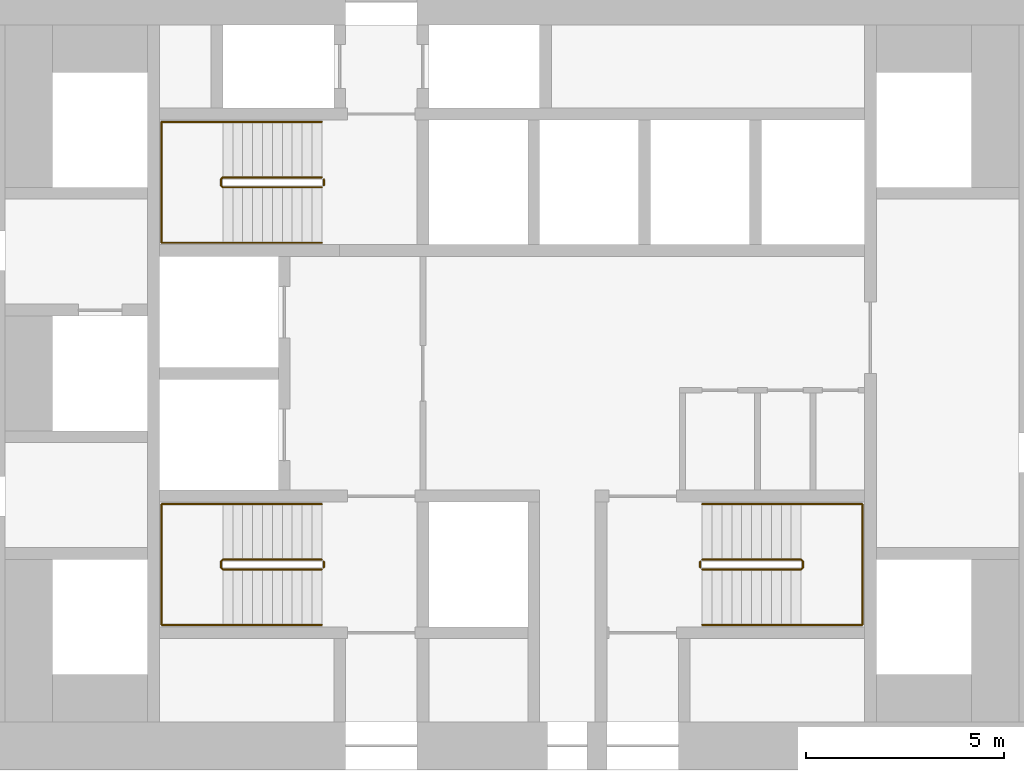
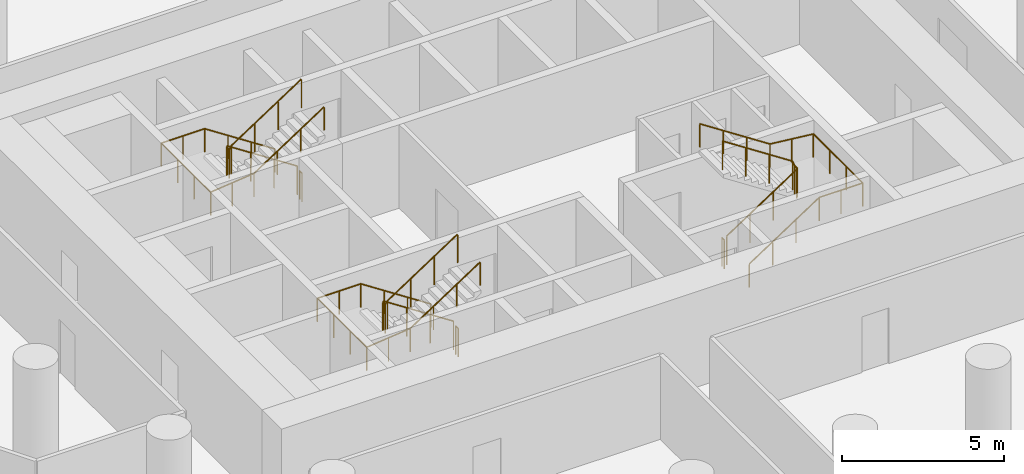
# One storey, part 11 of 11: 9 railings.
"""IFC4 building model written with IfcOpenShell, lengths in metres."""

import ifcopenshell
import ifcopenshell.guid

model = None  # the IFC model being written
_history = None  # IfcOwnerHistory: only IFC2X3 demands one
_inside = {}  # id of a spatial element -> (the spatial element, [elements in it])
_under = {}  # id of a project, library or spatial element -> (it, [spatial elements below it])
_declared = {}  # id of a project -> (the project, [libraries it declares])
_typed = {}  # id of a type object -> (the type object, [elements of that type])
_made_of = {}  # id of a material, layer set ... -> (it, [elements and type objects made of it])


def new_model(schema):
    """Start an empty IFC model of exactly this schema.

    Asked for "IFC4X3", IfcOpenShell would pick the latest addendum, in which some entities
    have other attributes; the version numbers below select the first issue.
    IFC2X3 requires an IfcOwnerHistory on every rooted entity: one is made here for all.
    """
    global model, _history
    if schema == "IFC4X3":
        model = ifcopenshell.file(schema_version=(4, 3, 0, 0))
    else:
        model = ifcopenshell.file(schema=schema)
    _inside.clear()
    _under.clear()
    _declared.clear()
    _typed.clear()
    _made_of.clear()
    _history = None
    if model.schema == "IFC2X3":
        org = make("IfcOrganization", Name="unknown")
        user = make(
            "IfcPersonAndOrganization",
            ThePerson=make("IfcPerson", FamilyName="unknown"),
            TheOrganization=org,
        )
        app = make(
            "IfcApplication",
            ApplicationDeveloper=org,
            Version="unknown",
            ApplicationFullName="unknown",
            ApplicationIdentifier="unknown",
        )
        _history = make(
            "IfcOwnerHistory",
            OwningUser=user,
            OwningApplication=app,
            ChangeAction="ADDED",
            CreationDate=0,
        )
    return model


def make(cls, **values):
    """One entity of the class cls with the attributes given. An attribute that is None is left unset."""
    return model.create_entity(
        cls, **{name: value for name, value in values.items() if value is not None}
    )


def rooted(cls, **values):
    """An entity with a GlobalId (a new one), such as an element, a storey or a relation."""
    return make(cls, GlobalId=ifcopenshell.guid.new(), OwnerHistory=_history, **values)


def si_unit(unit_type, name, prefix=None):
    """IfcSIUnit, for example si_unit("LENGTHUNIT", "METRE", prefix="MILLI")."""
    return make("IfcSIUnit", UnitType=unit_type, Prefix=prefix, Name=name)


def assignment(units):
    """IfcUnitAssignment: the units of a project."""
    return None if units is None else make("IfcUnitAssignment", Units=units)


def point(xyz):
    """IfcCartesianPoint."""
    return None if xyz is None else make("IfcCartesianPoint", Coordinates=xyz)


def direction(xyz):
    """IfcDirection."""
    return None if xyz is None else make("IfcDirection", DirectionRatios=xyz)


def frame(location, z_axis=None, x_axis=None):
    """IfcAxis2Placement3D, a coordinate frame: its origin and axes. An axis left out is left unset."""
    return make(
        "IfcAxis2Placement3D",
        Location=point(location),
        Axis=direction(z_axis),
        RefDirection=direction(x_axis),
    )


def frame_2d(location, x_axis=None):
    """IfcAxis2Placement2D, a coordinate frame in the plane: its origin and x axis."""
    return make(
        "IfcAxis2Placement2D", Location=point(location), RefDirection=direction(x_axis)
    )


def origin():
    """The frame at (0, 0, 0) with its axes left unset."""
    return frame((0.0, 0.0, 0.0))


def origin_2d():
    """The frame at (0, 0) in the plane with its x axis left unset."""
    return frame_2d((0.0, 0.0))


def place(relative_to, where):
    """IfcLocalPlacement: puts the frame where relative to a parent placement (None: the world)."""
    return make(
        "IfcLocalPlacement", PlacementRelTo=relative_to, RelativePlacement=where
    )


def context(
    kind, dimensions, precision=None, world=None, true_north=None, identifier=None
):
    """IfcGeometricRepresentationContext, for example the 3D "Model" context."""
    return make(
        "IfcGeometricRepresentationContext",
        ContextIdentifier=identifier,
        ContextType=kind,
        CoordinateSpaceDimension=dimensions,
        Precision=precision,
        WorldCoordinateSystem=world,
        TrueNorth=true_north,
    )


def subcontext(parent, identifier, kind, view, scale=None):
    """IfcGeometricRepresentationSubContext, for example "Body" below "Model"."""
    return make(
        "IfcGeometricRepresentationSubContext",
        ContextIdentifier=identifier,
        ContextType=kind,
        ParentContext=parent,
        TargetScale=scale,
        TargetView=view,
    )


def project(units=None, contexts=None):
    """IfcProject with its units and contexts."""
    return rooted(
        "IfcProject",
        Name="project",
        RepresentationContexts=contexts,
        UnitsInContext=assignment(units),
    )


def spatial(cls, under=None, at=None, **own):
    """A site, building, storey or space (cls), placed at a placement, below another one or the project."""
    s = rooted(cls, ObjectPlacement=at, **own)
    if under is not None:
        _under.setdefault(under.id(), (under, []))[1].append(s)
    return s


def profile(cls, at=None, kind="AREA", **sizes):
    """A parametric profile (cls). Its sizes go by their IFC names, for example OverallWidth=200.0."""
    return make(cls, ProfileType=kind, Position=at, **sizes)


def circle(**sizes):
    """IfcCircleProfileDef."""
    return profile("IfcCircleProfileDef", **sizes)


def extrude(swept, where, along, depth):
    """IfcExtrudedAreaSolid: the profile swept, set in the frame where, extruded along a direction by depth."""
    return make(
        "IfcExtrudedAreaSolid",
        SweptArea=swept,
        Position=where,
        ExtrudedDirection=direction(along),
        Depth=depth,
    )


def shape(context_of_items, identifier, shape_type, items):
    """IfcShapeRepresentation: the items that make up one representation, for example the "Body"."""
    return make(
        "IfcShapeRepresentation",
        ContextOfItems=context_of_items,
        RepresentationIdentifier=identifier,
        RepresentationType=shape_type,
        Items=items,
    )


def material(Name=None, Category=None):
    """IfcMaterial."""
    return make("IfcMaterial", Name=Name, Category=Category)


def made_of(thing, what):
    """Note that an element or type object is made of a material, layer set ...; save() writes the relation."""
    if what is not None:
        _made_of.setdefault(what.id(), (what, []))[1].append(thing)
    return thing


def type_object(cls, material=None, **own):
    """A type object (cls), such as IfcWallType, which elements share."""
    return made_of(rooted(cls, **own), material)


def element(
    cls,
    number,
    at=None,
    inside=None,
    cuts=None,
    type_object=None,
    material=None,
    context=None,
    identifier="Body",
    shape_type=None,
    held_by="IfcProductDefinitionShape",
    body=None,
    shapes=None,
    **own,
):
    """One element of the class cls, such as IfcWall. Its Tag is "e" and its number.

    at: its placement. inside: the storey or other place that contains it. cuts: it is an
    opening in that element (IfcRelVoidsElement). A single representation is given by context,
    identifier, shape_type and body (its items); several are given by shapes. held_by: the class
    of the entity that holds the representations. save() writes the other relations.
    """
    e = rooted(cls, Tag="e%d" % number, ObjectPlacement=at, **own)
    if body is not None:
        shapes = [shape(context, identifier, shape_type, body)]
    if shapes is not None:
        e.Representation = make(held_by, Representations=shapes)
    if inside is not None:
        _inside.setdefault(inside.id(), (inside, []))[1].append(e)
    if cuts is not None:
        rooted(
            "IfcRelVoidsElement", RelatingBuildingElement=cuts, RelatedOpeningElement=e
        )
    if type_object is not None:
        _typed.setdefault(type_object.id(), (type_object, []))[1].append(e)
    return made_of(e, material)


def aggregate(whole, parts):
    """IfcRelAggregates: a whole, such as a stair, and the parts it consists of."""
    return rooted("IfcRelAggregates", RelatingObject=whole, RelatedObjects=parts)


def save(model, path):
    """Write the relations noted so far, then the file.

    IfcRelAggregates (storeys below a building ...), IfcRelContainedInSpatialStructure (elements
    in a storey), IfcRelDefinesByType, IfcRelAssociatesMaterial and IfcRelDeclares: one each for
    every whole, place, type object, material and project.
    """
    for whole, parts in _under.values():
        aggregate(whole, parts)
    for where, things in _inside.values():
        rooted(
            "IfcRelContainedInSpatialStructure",
            RelatedElements=things,
            RelatingStructure=where,
        )
    for kind, things in _typed.values():
        rooted("IfcRelDefinesByType", RelatedObjects=things, RelatingType=kind)
    for what, things in _made_of.values():
        rooted("IfcRelAssociatesMaterial", RelatedObjects=things, RelatingMaterial=what)
    for by, libraries in _declared.values():
        rooted("IfcRelDeclares", RelatingContext=by, RelatedDefinitions=libraries)
    model.write(path)


model = new_model("IFC4")

# Units and contexts
model_context = context("Model", 3, precision=1e-05, world=origin(), true_north=direction((0.0, 1.0)))
body_context = subcontext(model_context, "Body", "Model", "MODEL_VIEW")
ifc_project = project(units=[si_unit("LENGTHUNIT", "METRE"), si_unit("AREAUNIT", "SQUARE_METRE"), si_unit("VOLUMEUNIT", "CUBIC_METRE"), si_unit("PLANEANGLEUNIT", "RADIAN"), si_unit("MASSUNIT", "GRAM", prefix="KILO")], contexts=[model_context])

# Site, building, storey
site_placement = place(None, origin())
site = spatial("IfcSite", under=ifc_project, at=site_placement, CompositionType="ELEMENT")
building_placement = place(site_placement, origin())
building = spatial("IfcBuilding", under=site, at=building_placement, Name="Tracery Tower", CompositionType="ELEMENT")
storey_placement = place(building_placement, frame((0.0, 0.0, 100.199951171875)))
storey = spatial("IfcBuildingStorey", under=building, at=storey_placement, Name="L25", CompositionType="ELEMENT", Elevation=100.199951171875)

# Railings
ifc_material_1 = material(Name="Stainless steel and laminated glass", Category="steel")
railing_type_1 = type_object("IfcRailingType", Name="Stair guard 1100", PredefinedType="GUARDRAIL", material=ifc_material_1)
railing_1_placement = place(storey_placement, frame((-4.800048828125, -4.699951171875, 0.16357421875)))
element("IfcRailing", 1, at=railing_1_placement, inside=storey, type_object=railing_type_1, Name="L25 stair ST1 guard 1", PredefinedType="GUARDRAIL", context=body_context, shape_type="SweptSolid", body=[
    extrude(circle(Radius=0.02392578125, at=origin_2d()), frame((0.0, 0.0, 1.076171875), z_axis=(-0.83668449804, 0.0, 0.54768517484), x_axis=(0.0, -1.0, 0.0)), (0.0, 0.0, 1.0), 2.988037109375),
    extrude(circle(Radius=0.02392578125, at=origin_2d()), frame((-2.5, 0.0, 2.71240234375), z_axis=(-0.707106781187, -0.707106781187, 0.0), x_axis=(0.707106781187, -0.707106781187, 0.0)), (0.0, 0.0, 1.0), 0.07080078125),
    extrude(circle(Radius=0.02392578125, at=origin_2d()), frame((-2.550048828125, -0.050048828125, 2.71240234375), z_axis=(0.0, -1.0, 0.0), x_axis=(1.0, 0.0, 0.0)), (0.0, 0.0, 1.0), 0.14990234375),
    extrude(circle(Radius=0.02392578125, at=origin_2d()), frame((-2.550048828125, -0.199951171875, 2.71240234375), z_axis=(0.280808744504, -0.280808744504, 0.917765164963), x_axis=(0.707106781187, 0.707106781187, 0.0)), (0.0, 0.0, 1.0), 0.17822265625),
    extrude(circle(Radius=0.02392578125, at=origin_2d()), frame((-2.5, -0.25, 2.8759765625), z_axis=(0.83668449804, 0.0, 0.54768517484), x_axis=(0.0, 1.0, 0.0)), (0.0, 0.0, 1.0), 2.988037109375),
    extrude(circle(Radius=0.02099609375, at=origin_2d()), origin(), (0.0, 0.0, 1.0), 1.052001953125),
    extrude(circle(Radius=0.02099609375, at=origin_2d()), frame((-0.833251953125, 0.0, 0.54541015625)), (0.0, 0.0, 1.0), 1.052001953125),
    extrude(circle(Radius=0.02099609375, at=origin_2d()), frame((-1.666748046875, 0.0, 1.091064453125)), (0.0, 0.0, 1.0), 1.052001953125),
    extrude(circle(Radius=0.02099609375, at=origin_2d()), frame((-2.5, 0.0, 1.636474609375)), (0.0, 0.0, 1.0), 1.052001953125),
    extrude(circle(Radius=0.02099609375, at=origin_2d()), frame((-2.550048828125, -0.050048828125, 1.636474609375)), (0.0, 0.0, 1.0), 1.052001953125),
    extrude(circle(Radius=0.02099609375, at=origin_2d()), frame((-2.550048828125, -0.199951171875, 1.636474609375)), (0.0, 0.0, 1.0), 1.052001953125),
    extrude(circle(Radius=0.02099609375, at=origin_2d()), frame((-2.5, -0.25, 1.800048828125)), (0.0, 0.0, 1.0), 1.052001953125),
    extrude(circle(Radius=0.02099609375, at=origin_2d()), frame((-1.666748046875, -0.25, 2.345458984375)), (0.0, 0.0, 1.0), 1.052001953125),
    extrude(circle(Radius=0.02099609375, at=origin_2d()), frame((-0.833251953125, -0.25, 2.89111328125)), (0.0, 0.0, 1.0), 1.052001953125),
    extrude(circle(Radius=0.02099609375, at=origin_2d()), frame((0.0, -0.25, 3.4365234375)), (0.0, 0.0, 1.0), 1.052001953125),
])
railing_2_placement = place(storey_placement, frame((-4.75, -4.75, 0.0)))
element("IfcRailing", 2, at=railing_2_placement, inside=storey, type_object=railing_type_1, Name="L25 stair ST1 guard 2", PredefinedType="GUARDRAIL", context=body_context, shape_type="SweptSolid", body=[
    extrude(circle(Radius=0.02392578125, at=origin_2d()), frame((0.0, 0.0, 1.076171875), z_axis=(0.0, -1.0, 0.0), x_axis=(1.0, 0.0, 0.0)), (0.0, 0.0, 1.0), 0.14990234375),
    extrude(circle(Radius=0.02099609375, at=origin_2d()), origin(), (0.0, 0.0, 1.0), 1.052001953125),
    extrude(circle(Radius=0.02099609375, at=origin_2d()), frame((0.0, -0.14990234375, 0.0)), (0.0, 0.0, 1.0), 1.052001953125),
])
railing_3_placement = place(storey_placement, frame((-4.800048828125, 4.949951171875, 0.16357421875)))
element("IfcRailing", 3, at=railing_3_placement, inside=storey, type_object=railing_type_1, Name="L25 stair ST3 guard 1", PredefinedType="GUARDRAIL", context=body_context, shape_type="SweptSolid", body=[
    extrude(circle(Radius=0.02392578125, at=origin_2d()), frame((0.0, 0.0, 1.076171875), z_axis=(-0.83668449804, 0.0, 0.54768517484), x_axis=(0.0, -1.0, 0.0)), (0.0, 0.0, 1.0), 2.988037109375),
    extrude(circle(Radius=0.02392578125, at=origin_2d()), frame((-2.5, 0.0, 2.71240234375), z_axis=(-0.707106781187, -0.707106781187, 0.0), x_axis=(0.707106781187, -0.707106781187, 0.0)), (0.0, 0.0, 1.0), 0.07080078125),
    extrude(circle(Radius=0.02392578125, at=origin_2d()), frame((-2.550048828125, -0.050048828125, 2.71240234375), z_axis=(0.0, -1.0, 0.0), x_axis=(1.0, 0.0, 0.0)), (0.0, 0.0, 1.0), 0.14990234375),
    extrude(circle(Radius=0.02392578125, at=origin_2d()), frame((-2.550048828125, -0.199951171875, 2.71240234375), z_axis=(0.280808744504, -0.280808744504, 0.917765164963), x_axis=(0.707106781187, 0.707106781187, 0.0)), (0.0, 0.0, 1.0), 0.17822265625),
    extrude(circle(Radius=0.02392578125, at=origin_2d()), frame((-2.5, -0.25, 2.8759765625), z_axis=(0.83668449804, 0.0, 0.54768517484), x_axis=(0.0, 1.0, 0.0)), (0.0, 0.0, 1.0), 2.988037109375),
    extrude(circle(Radius=0.02099609375, at=origin_2d()), origin(), (0.0, 0.0, 1.0), 1.052001953125),
    extrude(circle(Radius=0.02099609375, at=origin_2d()), frame((-0.833251953125, 0.0, 0.54541015625)), (0.0, 0.0, 1.0), 1.052001953125),
    extrude(circle(Radius=0.02099609375, at=origin_2d()), frame((-1.666748046875, 0.0, 1.091064453125)), (0.0, 0.0, 1.0), 1.052001953125),
    extrude(circle(Radius=0.02099609375, at=origin_2d()), frame((-2.5, 0.0, 1.636474609375)), (0.0, 0.0, 1.0), 1.052001953125),
    extrude(circle(Radius=0.02099609375, at=origin_2d()), frame((-2.550048828125, -0.050048828125, 1.636474609375)), (0.0, 0.0, 1.0), 1.052001953125),
    extrude(circle(Radius=0.02099609375, at=origin_2d()), frame((-2.550048828125, -0.199951171875, 1.636474609375)), (0.0, 0.0, 1.0), 1.052001953125),
    extrude(circle(Radius=0.02099609375, at=origin_2d()), frame((-2.5, -0.25, 1.800048828125)), (0.0, 0.0, 1.0), 1.052001953125),
    extrude(circle(Radius=0.02099609375, at=origin_2d()), frame((-1.666748046875, -0.25, 2.345458984375)), (0.0, 0.0, 1.0), 1.052001953125),
    extrude(circle(Radius=0.02099609375, at=origin_2d()), frame((-0.833251953125, -0.25, 2.89111328125)), (0.0, 0.0, 1.0), 1.052001953125),
    extrude(circle(Radius=0.02099609375, at=origin_2d()), frame((0.0, -0.25, 3.4365234375)), (0.0, 0.0, 1.0), 1.052001953125),
])
railing_4_placement = place(storey_placement, frame((-4.75, 4.89990234375, 0.0)))
element("IfcRailing", 4, at=railing_4_placement, inside=storey, type_object=railing_type_1, Name="L25 stair ST3 guard 2", PredefinedType="GUARDRAIL", context=body_context, shape_type="SweptSolid", body=[
    extrude(circle(Radius=0.02392578125, at=origin_2d()), frame((0.0, 0.0, 1.076171875), z_axis=(0.0, -1.0, 0.0), x_axis=(1.0, 0.0, 0.0)), (0.0, 0.0, 1.0), 0.14990234375),
    extrude(circle(Radius=0.02099609375, at=origin_2d()), origin(), (0.0, 0.0, 1.0), 1.052001953125),
    extrude(circle(Radius=0.02099609375, at=origin_2d()), frame((0.0, -0.14990234375, 0.0)), (0.0, 0.0, 1.0), 1.052001953125),
])
railing_5_placement = place(storey_placement, frame((4.800048828125, -4.949951171875, 0.16357421875)))
element("IfcRailing", 5, at=railing_5_placement, inside=storey, type_object=railing_type_1, Name="L25 stair ST2 guard 1", PredefinedType="GUARDRAIL", context=body_context, shape_type="SweptSolid", body=[
    extrude(circle(Radius=0.02392578125, at=origin_2d()), frame((0.0, 0.0, 1.076171875), z_axis=(0.83668449804, 0.0, 0.54768517484), x_axis=(0.0, 1.0, 0.0)), (0.0, 0.0, 1.0), 2.988037109375),
    extrude(circle(Radius=0.02392578125, at=origin_2d()), frame((2.5, 0.0, 2.71240234375), z_axis=(0.707106781187, 0.707106781187, 0.0), x_axis=(-0.707106781187, 0.707106781187, 0.0)), (0.0, 0.0, 1.0), 0.07080078125),
    extrude(circle(Radius=0.02392578125, at=origin_2d()), frame((2.550048828125, 0.050048828125, 2.71240234375), z_axis=(0.0, 1.0, 0.0), x_axis=(-1.0, 0.0, 0.0)), (0.0, 0.0, 1.0), 0.14990234375),
    extrude(circle(Radius=0.02392578125, at=origin_2d()), frame((2.550048828125, 0.199951171875, 2.71240234375), z_axis=(-0.280808744504, 0.280808744504, 0.917765164963), x_axis=(-0.707106781187, -0.707106781187, 0.0)), (0.0, 0.0, 1.0), 0.17822265625),
    extrude(circle(Radius=0.02392578125, at=origin_2d()), frame((2.5, 0.25, 2.8759765625), z_axis=(-0.83668449804, 0.0, 0.54768517484), x_axis=(0.0, -1.0, 0.0)), (0.0, 0.0, 1.0), 2.988037109375),
    extrude(circle(Radius=0.02099609375, at=origin_2d()), origin(), (0.0, 0.0, 1.0), 1.052001953125),
    extrude(circle(Radius=0.02099609375, at=origin_2d()), frame((0.833251953125, 0.0, 0.54541015625)), (0.0, 0.0, 1.0), 1.052001953125),
    extrude(circle(Radius=0.02099609375, at=origin_2d()), frame((1.666748046875, 0.0, 1.091064453125)), (0.0, 0.0, 1.0), 1.052001953125),
    extrude(circle(Radius=0.02099609375, at=origin_2d()), frame((2.5, 0.0, 1.636474609375)), (0.0, 0.0, 1.0), 1.052001953125),
    extrude(circle(Radius=0.02099609375, at=origin_2d()), frame((2.550048828125, 0.050048828125, 1.636474609375)), (0.0, 0.0, 1.0), 1.052001953125),
    extrude(circle(Radius=0.02099609375, at=origin_2d()), frame((2.550048828125, 0.199951171875, 1.636474609375)), (0.0, 0.0, 1.0), 1.052001953125),
    extrude(circle(Radius=0.02099609375, at=origin_2d()), frame((2.5, 0.25, 1.800048828125)), (0.0, 0.0, 1.0), 1.052001953125),
    extrude(circle(Radius=0.02099609375, at=origin_2d()), frame((1.666748046875, 0.25, 2.345458984375)), (0.0, 0.0, 1.0), 1.052001953125),
    extrude(circle(Radius=0.02099609375, at=origin_2d()), frame((0.833251953125, 0.25, 2.89111328125)), (0.0, 0.0, 1.0), 1.052001953125),
    extrude(circle(Radius=0.02099609375, at=origin_2d()), frame((0.0, 0.25, 3.4365234375)), (0.0, 0.0, 1.0), 1.052001953125),
])
railing_6_placement = place(storey_placement, frame((4.75, -4.89990234375, 0.0)))
element("IfcRailing", 6, at=railing_6_placement, inside=storey, type_object=railing_type_1, Name="L25 stair ST2 guard 2", PredefinedType="GUARDRAIL", context=body_context, shape_type="SweptSolid", body=[
    extrude(circle(Radius=0.02392578125, at=origin_2d()), frame((0.0, 0.0, 1.076171875), z_axis=(0.0, 1.0, 0.0), x_axis=(-1.0, 0.0, 0.0)), (0.0, 0.0, 1.0), 0.14990234375),
    extrude(circle(Radius=0.02099609375, at=origin_2d()), origin(), (0.0, 0.0, 1.0), 1.052001953125),
    extrude(circle(Radius=0.02099609375, at=origin_2d()), frame((0.0, 0.14990234375, 0.0)), (0.0, 0.0, 1.0), 1.052001953125),
])
ifc_material_2 = material(Name="Stainless steel and laminated glass", Category="steel")
railing_type_2 = type_object("IfcRailingType", Name="Stair handrail 900", PredefinedType="HANDRAIL", material=ifc_material_2)
railing_7_placement = place(storey_placement, frame((-4.800048828125, -3.300048828125, 0.16357421875)))
element("IfcRailing", 7, at=railing_7_placement, inside=storey, type_object=railing_type_2, Name="L25 stair ST1 handrail 1", PredefinedType="HANDRAIL", context=body_context, shape_type="SweptSolid", body=[
    extrude(circle(Radius=0.02392578125, at=origin_2d()), frame((0.0, 0.0, 0.8759765625), z_axis=(-0.83668449804, 0.0, 0.54768517484), x_axis=(0.0, -1.0, 0.0)), (0.0, 0.0, 1.0), 2.988037109375),
    extrude(circle(Radius=0.02392578125, at=origin_2d()), frame((-2.5, 0.0, 2.51220703125), z_axis=(-1.0, 0.0, 0.0), x_axis=(0.0, -1.0, 0.0)), (0.0, 0.0, 1.0), 1.550048828125),
    extrude(circle(Radius=0.02392578125, at=origin_2d()), frame((-4.050048828125, 0.0, 2.51220703125), z_axis=(0.0, -1.0, 0.0), x_axis=(1.0, 0.0, 0.0)), (0.0, 0.0, 1.0), 3.050048828125),
    extrude(circle(Radius=0.02392578125, at=origin_2d()), frame((-4.050048828125, -3.050048828125, 2.51220703125), z_axis=(0.994477953863, 0.0, 0.104945696817), x_axis=(0.0, 1.0, 0.0)), (0.0, 0.0, 1.0), 1.55859375),
    extrude(circle(Radius=0.02392578125, at=origin_2d()), frame((-2.5, -3.050048828125, 2.67578125), z_axis=(0.83668449804, 0.0, 0.54768517484), x_axis=(0.0, 1.0, 0.0)), (0.0, 0.0, 1.0), 2.988037109375),
    extrude(circle(Radius=0.02099609375, at=origin_2d()), origin(), (0.0, 0.0, 1.0), 0.851806640625),
    extrude(circle(Radius=0.02099609375, at=origin_2d()), frame((-0.833251953125, 0.0, 0.54541015625)), (0.0, 0.0, 1.0), 0.851806640625),
    extrude(circle(Radius=0.02099609375, at=origin_2d()), frame((-1.666748046875, 0.0, 1.091064453125)), (0.0, 0.0, 1.0), 0.851806640625),
    extrude(circle(Radius=0.02099609375, at=origin_2d()), frame((-2.5, 0.0, 1.636474609375)), (0.0, 0.0, 1.0), 0.851806640625),
    extrude(circle(Radius=0.02099609375, at=origin_2d()), frame((-3.27490234375, 0.0, 1.636474609375)), (0.0, 0.0, 1.0), 0.851806640625),
    extrude(circle(Radius=0.02099609375, at=origin_2d()), frame((-4.050048828125, 0.0, 1.636474609375)), (0.0, 0.0, 1.0), 0.851806640625),
    extrude(circle(Radius=0.02099609375, at=origin_2d()), frame((-4.050048828125, -1.0166015625, 1.636474609375)), (0.0, 0.0, 1.0), 0.851806640625),
    extrude(circle(Radius=0.02099609375, at=origin_2d()), frame((-4.050048828125, -2.033447265625, 1.636474609375)), (0.0, 0.0, 1.0), 0.851806640625),
    extrude(circle(Radius=0.02099609375, at=origin_2d()), frame((-4.050048828125, -3.050048828125, 1.636474609375)), (0.0, 0.0, 1.0), 0.851806640625),
    extrude(circle(Radius=0.02099609375, at=origin_2d()), frame((-3.27490234375, -3.050048828125, 1.71826171875)), (0.0, 0.0, 1.0), 0.851806640625),
    extrude(circle(Radius=0.02099609375, at=origin_2d()), frame((-2.5, -3.050048828125, 1.800048828125)), (0.0, 0.0, 1.0), 0.851806640625),
    extrude(circle(Radius=0.02099609375, at=origin_2d()), frame((-1.666748046875, -3.050048828125, 2.345458984375)), (0.0, 0.0, 1.0), 0.851806640625),
    extrude(circle(Radius=0.02099609375, at=origin_2d()), frame((-0.833251953125, -3.050048828125, 2.89111328125)), (0.0, 0.0, 1.0), 0.851806640625),
    extrude(circle(Radius=0.02099609375, at=origin_2d()), frame((0.0, -3.050048828125, 3.4365234375)), (0.0, 0.0, 1.0), 0.851806640625),
])
railing_8_placement = place(storey_placement, frame((-4.800048828125, 6.35009765625, 0.16357421875)))
element("IfcRailing", 8, at=railing_8_placement, inside=storey, type_object=railing_type_2, Name="L25 stair ST3 handrail 1", PredefinedType="HANDRAIL", context=body_context, shape_type="SweptSolid", body=[
    extrude(circle(Radius=0.02392578125, at=origin_2d()), frame((0.0, 0.0, 0.8759765625), z_axis=(-0.83668449804, 0.0, 0.54768517484), x_axis=(0.0, -1.0, 0.0)), (0.0, 0.0, 1.0), 2.988037109375),
    extrude(circle(Radius=0.02392578125, at=origin_2d()), frame((-2.5, 0.0, 2.51220703125), z_axis=(-1.0, 0.0, 0.0), x_axis=(0.0, -1.0, 0.0)), (0.0, 0.0, 1.0), 1.550048828125),
    extrude(circle(Radius=0.02392578125, at=origin_2d()), frame((-4.050048828125, 0.0, 2.51220703125), z_axis=(0.0, -1.0, 0.0), x_axis=(1.0, 0.0, 0.0)), (0.0, 0.0, 1.0), 3.050048828125),
    extrude(circle(Radius=0.02392578125, at=origin_2d()), frame((-4.050048828125, -3.050048828125, 2.51220703125), z_axis=(0.994477953863, 0.0, 0.104945696817), x_axis=(0.0, 1.0, 0.0)), (0.0, 0.0, 1.0), 1.55859375),
    extrude(circle(Radius=0.02392578125, at=origin_2d()), frame((-2.5, -3.050048828125, 2.67578125), z_axis=(0.83668449804, 0.0, 0.54768517484), x_axis=(0.0, 1.0, 0.0)), (0.0, 0.0, 1.0), 2.988037109375),
    extrude(circle(Radius=0.02099609375, at=origin_2d()), origin(), (0.0, 0.0, 1.0), 0.851806640625),
    extrude(circle(Radius=0.02099609375, at=origin_2d()), frame((-0.833251953125, 0.0, 0.54541015625)), (0.0, 0.0, 1.0), 0.851806640625),
    extrude(circle(Radius=0.02099609375, at=origin_2d()), frame((-1.666748046875, 0.0, 1.091064453125)), (0.0, 0.0, 1.0), 0.851806640625),
    extrude(circle(Radius=0.02099609375, at=origin_2d()), frame((-2.5, 0.0, 1.636474609375)), (0.0, 0.0, 1.0), 0.851806640625),
    extrude(circle(Radius=0.02099609375, at=origin_2d()), frame((-3.27490234375, 0.0, 1.636474609375)), (0.0, 0.0, 1.0), 0.851806640625),
    extrude(circle(Radius=0.02099609375, at=origin_2d()), frame((-4.050048828125, 0.0, 1.636474609375)), (0.0, 0.0, 1.0), 0.851806640625),
    extrude(circle(Radius=0.02099609375, at=origin_2d()), frame((-4.050048828125, -1.0166015625, 1.636474609375)), (0.0, 0.0, 1.0), 0.851806640625),
    extrude(circle(Radius=0.02099609375, at=origin_2d()), frame((-4.050048828125, -2.033447265625, 1.636474609375)), (0.0, 0.0, 1.0), 0.851806640625),
    extrude(circle(Radius=0.02099609375, at=origin_2d()), frame((-4.050048828125, -3.050048828125, 1.636474609375)), (0.0, 0.0, 1.0), 0.851806640625),
    extrude(circle(Radius=0.02099609375, at=origin_2d()), frame((-3.27490234375, -3.050048828125, 1.71826171875)), (0.0, 0.0, 1.0), 0.851806640625),
    extrude(circle(Radius=0.02099609375, at=origin_2d()), frame((-2.5, -3.050048828125, 1.800048828125)), (0.0, 0.0, 1.0), 0.851806640625),
    extrude(circle(Radius=0.02099609375, at=origin_2d()), frame((-1.666748046875, -3.050048828125, 2.345458984375)), (0.0, 0.0, 1.0), 0.851806640625),
    extrude(circle(Radius=0.02099609375, at=origin_2d()), frame((-0.833251953125, -3.050048828125, 2.89111328125)), (0.0, 0.0, 1.0), 0.851806640625),
    extrude(circle(Radius=0.02099609375, at=origin_2d()), frame((0.0, -3.050048828125, 3.4365234375)), (0.0, 0.0, 1.0), 0.851806640625),
])
railing_9_placement = place(storey_placement, frame((4.800048828125, -6.35009765625, 0.16357421875)))
element("IfcRailing", 9, at=railing_9_placement, inside=storey, type_object=railing_type_2, Name="L25 stair ST2 handrail 1", PredefinedType="HANDRAIL", context=body_context, shape_type="SweptSolid", body=[
    extrude(circle(Radius=0.02392578125, at=origin_2d()), frame((0.0, 0.0, 0.8759765625), z_axis=(0.83668449804, 0.0, 0.54768517484), x_axis=(0.0, 1.0, 0.0)), (0.0, 0.0, 1.0), 2.988037109375),
    extrude(circle(Radius=0.02392578125, at=origin_2d()), frame((2.5, 0.0, 2.51220703125), z_axis=(1.0, 0.0, 0.0), x_axis=(0.0, 1.0, 0.0)), (0.0, 0.0, 1.0), 1.550048828125),
    extrude(circle(Radius=0.02392578125, at=origin_2d()), frame((4.050048828125, 0.0, 2.51220703125), z_axis=(0.0, 1.0, 0.0), x_axis=(-1.0, 0.0, 0.0)), (0.0, 0.0, 1.0), 3.050048828125),
    extrude(circle(Radius=0.02392578125, at=origin_2d()), frame((4.050048828125, 3.050048828125, 2.51220703125), z_axis=(-0.994477953863, 0.0, 0.104945696817), x_axis=(0.0, -1.0, 0.0)), (0.0, 0.0, 1.0), 1.55859375),
    extrude(circle(Radius=0.02392578125, at=origin_2d()), frame((2.5, 3.050048828125, 2.67578125), z_axis=(-0.83668449804, 0.0, 0.54768517484), x_axis=(0.0, -1.0, 0.0)), (0.0, 0.0, 1.0), 2.988037109375),
    extrude(circle(Radius=0.02099609375, at=origin_2d()), origin(), (0.0, 0.0, 1.0), 0.851806640625),
    extrude(circle(Radius=0.02099609375, at=origin_2d()), frame((0.833251953125, 0.0, 0.54541015625)), (0.0, 0.0, 1.0), 0.851806640625),
    extrude(circle(Radius=0.02099609375, at=origin_2d()), frame((1.666748046875, 0.0, 1.091064453125)), (0.0, 0.0, 1.0), 0.851806640625),
    extrude(circle(Radius=0.02099609375, at=origin_2d()), frame((2.5, 0.0, 1.636474609375)), (0.0, 0.0, 1.0), 0.851806640625),
    extrude(circle(Radius=0.02099609375, at=origin_2d()), frame((3.27490234375, 0.0, 1.636474609375)), (0.0, 0.0, 1.0), 0.851806640625),
    extrude(circle(Radius=0.02099609375, at=origin_2d()), frame((4.050048828125, 0.0, 1.636474609375)), (0.0, 0.0, 1.0), 0.851806640625),
    extrude(circle(Radius=0.02099609375, at=origin_2d()), frame((4.050048828125, 1.0166015625, 1.636474609375)), (0.0, 0.0, 1.0), 0.851806640625),
    extrude(circle(Radius=0.02099609375, at=origin_2d()), frame((4.050048828125, 2.033447265625, 1.636474609375)), (0.0, 0.0, 1.0), 0.851806640625),
    extrude(circle(Radius=0.02099609375, at=origin_2d()), frame((4.050048828125, 3.050048828125, 1.636474609375)), (0.0, 0.0, 1.0), 0.851806640625),
    extrude(circle(Radius=0.02099609375, at=origin_2d()), frame((3.27490234375, 3.050048828125, 1.71826171875)), (0.0, 0.0, 1.0), 0.851806640625),
    extrude(circle(Radius=0.02099609375, at=origin_2d()), frame((2.5, 3.050048828125, 1.800048828125)), (0.0, 0.0, 1.0), 0.851806640625),
    extrude(circle(Radius=0.02099609375, at=origin_2d()), frame((1.666748046875, 3.050048828125, 2.345458984375)), (0.0, 0.0, 1.0), 0.851806640625),
    extrude(circle(Radius=0.02099609375, at=origin_2d()), frame((0.833251953125, 3.050048828125, 2.89111328125)), (0.0, 0.0, 1.0), 0.851806640625),
    extrude(circle(Radius=0.02099609375, at=origin_2d()), frame((0.0, 3.050048828125, 3.4365234375)), (0.0, 0.0, 1.0), 0.851806640625),
])

save(model, "model.ifc")
